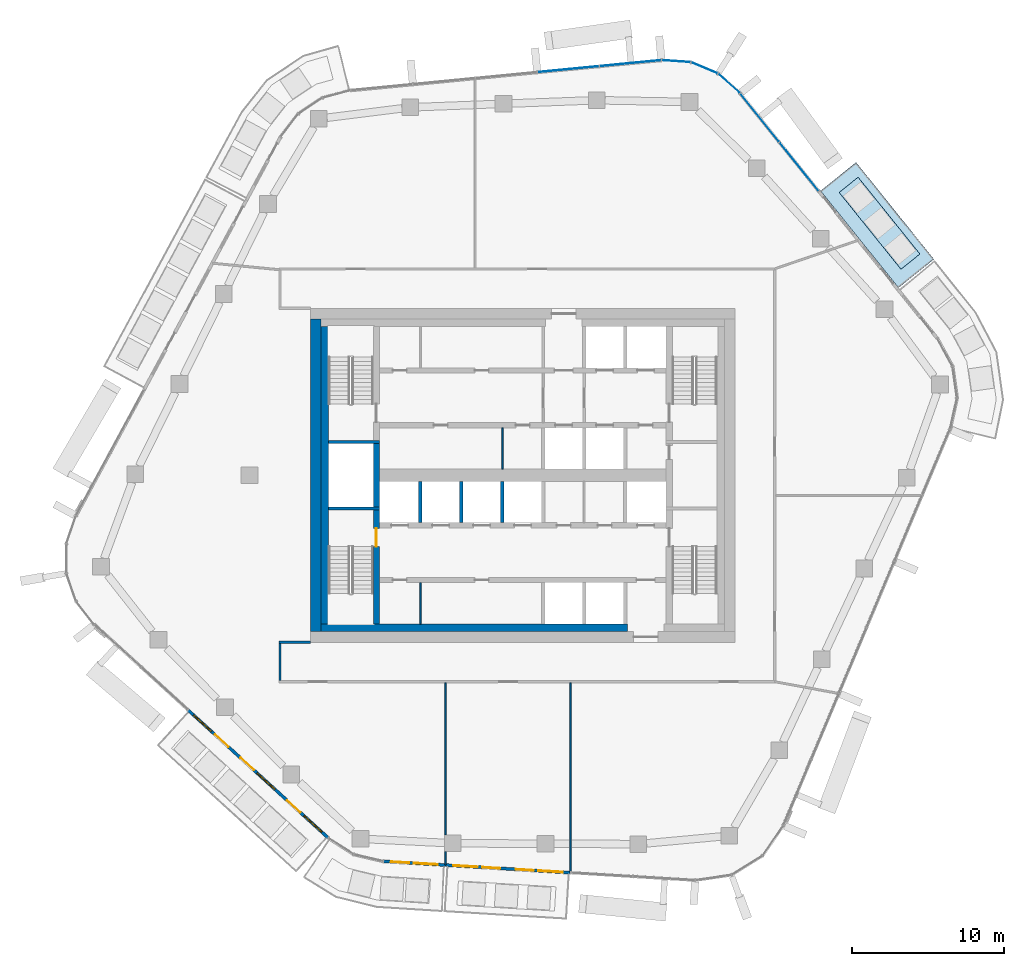
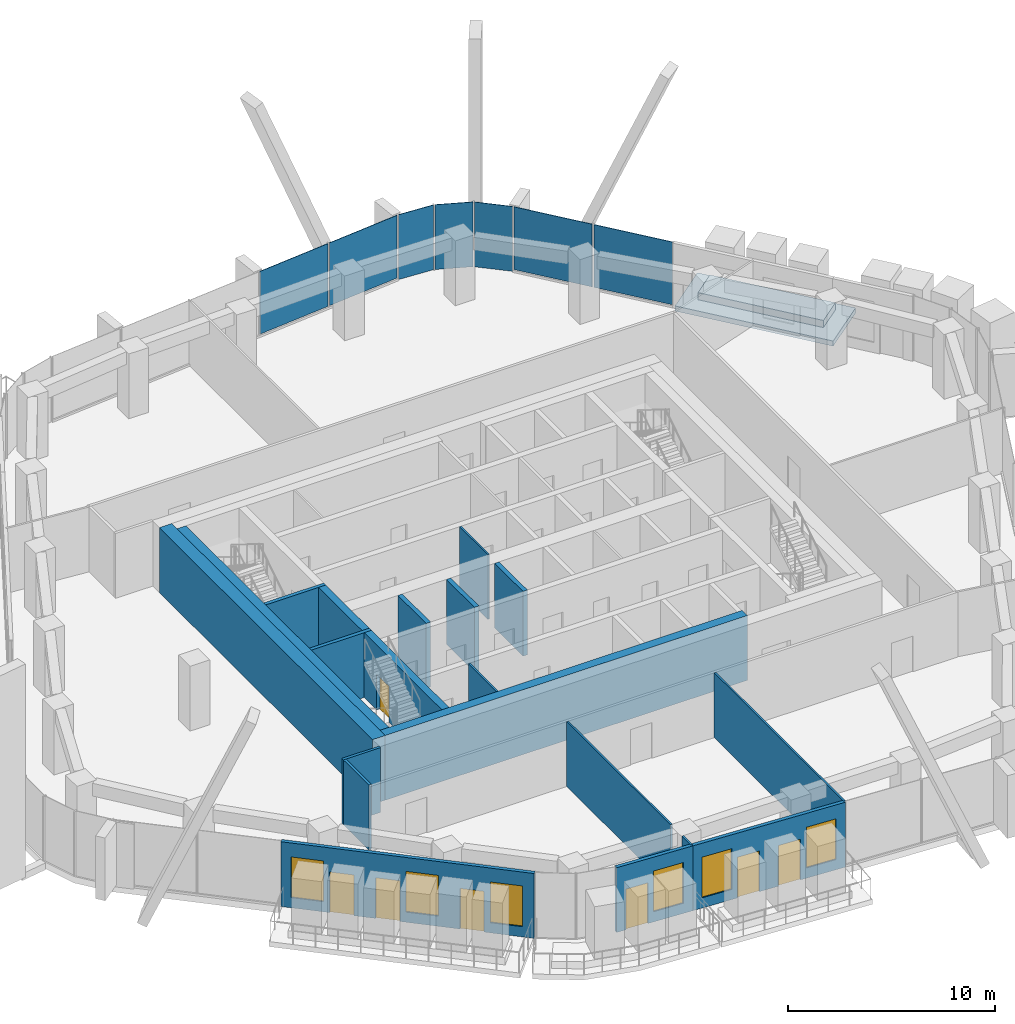
# One storey, part 11 of 20: 20 walls, 7 doors, 7 plates, 6 windows, 2 slabs, 13 openings, 3 elements without a shape of their own.
"""IFC4 building model written with IfcOpenShell, lengths in metres."""

from ifc_helpers import new_model, si_unit, direction, frame, frame_2d, origin, origin_2d, place, context, subcontext, project, spatial, polyline, rectangle, outline, extrude, material, layer, layer_set, type_object, element, fill, aggregate, save


model = new_model("IFC4")

# Units and contexts
model_context = context("Model", 3, precision=1e-05, world=origin(), true_north=direction((0.0, 1.0)))
body_context = subcontext(model_context, "Body", "Model", "MODEL_VIEW")
ifc_project = project(units=[si_unit("LENGTHUNIT", "METRE"), si_unit("AREAUNIT", "SQUARE_METRE"), si_unit("VOLUMEUNIT", "CUBIC_METRE"), si_unit("PLANEANGLEUNIT", "RADIAN"), si_unit("MASSUNIT", "GRAM", prefix="KILO")], contexts=[model_context])

# Site, building, storey
site_placement = place(None, origin())
site = spatial("IfcSite", under=ifc_project, at=site_placement, CompositionType="ELEMENT")
building_placement = place(site_placement, origin())
building = spatial("IfcBuilding", under=site, at=building_placement, Name="Dongbaek Canopy Tower", CompositionType="ELEMENT")
storey_placement = place(building_placement, frame((0.0, 0.0, 253.800048828125)))
storey = spatial("IfcBuildingStorey", under=building, at=storey_placement, Name="L53", CompositionType="ELEMENT", Elevation=253.800048828125)

# Slab
ifc_material_1 = material(Name="Concrete C40/50", Category="concrete")
ifc_layer_1 = layer(ifc_material_1, 0.300048828125)
ifc_layer_set_1 = layer_set([ifc_layer_1], Name="Balcony slab 300")
slab_type_1 = type_object("IfcSlabType", Name="Balcony slab 300", PredefinedType="FLOOR", material=ifc_layer_set_1)
slab_1_placement = place(storey_placement, frame((0.0, 0.0, -0.300048828125)))
element("IfcSlab", 1, at=slab_1_placement, inside=storey, type_object=slab_type_1, Name="Balcony L53 1", PredefinedType="FLOOR", context=body_context, shape_type="SweptSolid", body=[
    extrude(outline(polyline([(24.758544921875, 12.35693359375), (19.622314453125, 18.74072265625), (21.959716796875, 20.621337890625), (27.095947265625, 14.237548828125), (24.758544921875, 12.35693359375)])), origin(), (0.0, 0.0, 1.0), 0.300048828125),
])

# Curtain wall, plates
ifc_material_2 = material(Name="Aluminium 6063-T6 pale anodised", Category="aluminium")
ifc_layer_2 = layer(ifc_material_2, 0.199951171875)
ifc_layer_set_2 = layer_set([ifc_layer_2], Name="CW-1 unitised tower curtain wall")
curtain_wall_type = type_object("IfcCurtainWallType", Name="CW-1 unitised tower curtain wall", PredefinedType="NOTDEFINED", material=ifc_layer_set_2)
curtain_wall_1_placement = place(storey_placement, origin())
curtain_wall_1 = element("IfcCurtainWall", 2, at=curtain_wall_1_placement, inside=storey, type_object=curtain_wall_type, Name="CW-1 curtain wall F0.1", PredefinedType="NOTDEFINED")
ifc_material_3 = material(Name="Clear laminated glass", Category="glass")
ifc_layer_3 = layer(ifc_material_3, 0.028076171875)
ifc_layer_set_3 = layer_set([ifc_layer_3], Name="CW-1 glazed panel 28")
plate_type = type_object("IfcPlateType", Name="CW-1 glazed panel 28", PredefinedType="CURTAIN_PANEL", material=ifc_layer_set_3)
plate_1_placement = place(storey_placement, frame((18.21337890625, 20.33251953125, 0.1201171875), z_axis=(0.0, 0.0, 1.0), x_axis=(-0.626866846096, 0.779126406475, 0.0)))
plate_1 = element("IfcPlate", 3, at=plate_1_placement, type_object=plate_type, Name="CW-1 panel F0.1.1.1", PredefinedType="CURTAIN_PANEL", context=body_context, shape_type="SweptSolid", body=[
    extrude(rectangle(XDim=4.062744140625, YDim=0.028076171875, at=origin_2d()), origin(), (0.0, 0.0, 1.0), 3.699951171875),
])
plate_2_placement = place(storey_placement, frame((15.616455078125, 23.560302734375, 0.1201171875), z_axis=(0.0, 0.0, 1.0), x_axis=(-0.626866846096, 0.779126406475, 0.0)))
plate_2 = element("IfcPlate", 4, at=plate_2_placement, type_object=plate_type, Name="CW-1 panel F0.1.2.1", PredefinedType="CURTAIN_PANEL", context=body_context, shape_type="SweptSolid", body=[
    extrude(rectangle(XDim=4.054443359375, YDim=0.028076171875, at=origin_2d()), origin(), (0.0, 0.0, 1.0), 3.699951171875),
])
aggregate(curtain_wall_1, [plate_1, plate_2])

curtain_wall_2_placement = place(storey_placement, origin())
curtain_wall_2 = element("IfcCurtainWall", 5, at=curtain_wall_2_placement, inside=storey, type_object=curtain_wall_type, Name="CW-1 curtain wall K1.1", PredefinedType="NOTDEFINED")
plate_3_placement = place(storey_placement, frame((13.593017578125, 25.820068359375, 0.0), z_axis=(0.0, 0.0, 1.0), x_axis=(-0.746318212559, 0.665589307007, 0.0)))
plate_3 = element("IfcPlate", 6, at=plate_3_placement, type_object=plate_type, Name="CW-1 panel K1.1.1.1", PredefinedType="CURTAIN_PANEL", context=body_context, shape_type="SweptSolid", body=[
    extrude(rectangle(XDim=1.862060546875, YDim=0.028076171875, at=origin_2d()), origin(), (0.0, 0.0, 1.0), 3.820068359375),
])
plate_4_placement = place(storey_placement, frame((11.973876953125, 26.843505859375, 0.0), z_axis=(0.0, 0.0, 1.0), x_axis=(-0.921718789769, 0.387858830745, 0.0)))
plate_4 = element("IfcPlate", 7, at=plate_4_placement, type_object=plate_type, Name="CW-1 panel K1.1.2.1", PredefinedType="CURTAIN_PANEL", context=body_context, shape_type="SweptSolid", body=[
    extrude(rectangle(XDim=1.853515625, YDim=0.028076171875, at=origin_2d()), origin(), (0.0, 0.0, 1.0), 3.820068359375),
])
plate_5_placement = place(storey_placement, frame((10.1103515625, 27.28564453125, 0.0), z_axis=(0.0, 0.0, 1.0), x_axis=(-0.997666296748, 0.06827854959, 0.0)))
plate_5 = element("IfcPlate", 8, at=plate_5_placement, type_object=plate_type, Name="CW-1 panel K1.1.3.1", PredefinedType="CURTAIN_PANEL", context=body_context, shape_type="SweptSolid", body=[
    extrude(rectangle(XDim=1.862060546875, YDim=0.028076171875, at=origin_2d()), origin(), (0.0, 0.0, 1.0), 3.820068359375),
])
aggregate(curtain_wall_2, [plate_3, plate_4, plate_5])

curtain_wall_3_placement = place(storey_placement, origin())
curtain_wall_3 = element("IfcCurtainWall", 9, at=curtain_wall_3_placement, inside=storey, type_object=curtain_wall_type, Name="CW-1 curtain wall F1.1", PredefinedType="NOTDEFINED")
plate_6_placement = place(storey_placement, frame((7.095458984375, 27.15380859375, 0.1201171875), z_axis=(0.0, 0.0, 1.0), x_axis=(-0.995332430055, -0.096505718384, 0.0)))
plate_6 = element("IfcPlate", 10, at=plate_6_placement, type_object=plate_type, Name="CW-1 panel F1.1.1.1", PredefinedType="CURTAIN_PANEL", context=body_context, shape_type="SweptSolid", body=[
    extrude(rectangle(XDim=4.023193359375, YDim=0.028076171875, at=origin_2d()), origin(), (0.0, 0.0, 1.0), 3.699951171875),
])
plate_7_placement = place(storey_placement, frame((3.003173828125, 26.757080078125, 0.1201171875), z_axis=(0.0, 0.0, 1.0), x_axis=(-0.995332430055, -0.096505718384, 0.0)))
plate_7 = element("IfcPlate", 11, at=plate_7_placement, type_object=plate_type, Name="CW-1 panel F1.1.2.1", PredefinedType="CURTAIN_PANEL", context=body_context, shape_type="SweptSolid", body=[
    extrude(rectangle(XDim=4.031494140625, YDim=0.028076171875, at=origin_2d()), origin(), (0.0, 0.0, 1.0), 3.699951171875),
])
aggregate(curtain_wall_3, [plate_6, plate_7])

# Slab
ifc_material_4 = material(Name="Reinforced concrete C40/50 planter box with soil", Category="concrete")
ifc_layer_4 = layer(ifc_material_4, 0.419921875)
ifc_layer_set_4 = layer_set([ifc_layer_4], Name="Terrace planter box 1600 x 420")
slab_type_2 = type_object("IfcSlabType", Name="Terrace planter box 1600 x 420", PredefinedType="USERDEFINED", material=ifc_layer_set_4)
slab_2_placement = place(storey_placement, origin())
element("IfcSlab", 12, at=slab_2_placement, inside=storey, type_object=slab_type_2, Name="Balcony planter L53 1", ObjectType="PLANTER", PredefinedType="USERDEFINED", context=body_context, shape_type="SweptSolid", body=[
    extrude(outline(polyline([(24.919189453125, 13.5771484375), (20.8486328125, 18.636474609375), (22.09521484375, 19.639404296875), (26.165771484375, 14.580078125), (24.919189453125, 13.5771484375)])), origin(), (0.0, 0.0, 1.0), 0.419921875),
])

# Walls
ifc_material_5 = material(Name="Concrete C70/85", Category="concrete")
ifc_layer_5 = layer(ifc_material_5, 0.699951171875)
ifc_layer_set_5 = layer_set([ifc_layer_5], Name="Core outer wall 700 Concrete C70/85")
wall_type_1 = type_object("IfcWallType", Name="Core outer wall 700 Concrete C70/85", PredefinedType="SHEAR", material=ifc_layer_set_5)
wall_1_placement = place(storey_placement, frame((-13.64990234375, -10.300048828125, 0.0), z_axis=(0.0, 0.0, 1.0), x_axis=(0.0, 1.0, 0.0)))
element("IfcWall", 13, at=wall_1_placement, inside=storey, type_object=wall_type_1, Name="Core wall", PredefinedType="SHEAR", context=body_context, shape_type="SweptSolid", body=[
    extrude(rectangle(XDim=20.60009765625, YDim=0.699951171875, at=frame_2d((10.300048828125, 0.0))), origin(), (0.0, 0.0, 1.0), 3.820068359375),
])
ifc_material_6 = material(Name="Concrete C60/75", Category="concrete")
ifc_layer_6 = layer(ifc_material_6, 0.5)
ifc_layer_set_6 = layer_set([ifc_layer_6], Name="Core wall lining 500 Concrete C60/75")
wall_type_2 = type_object("IfcWallType", Name="Core wall lining 500 Concrete C60/75", PredefinedType="SHEAR", material=ifc_layer_set_6)
wall_2_placement = place(storey_placement, frame((6.89990234375, -10.050048828125, 0.0), z_axis=(0.0, 0.0, 1.0), x_axis=(-1.0, 0.0, 0.0)))
element("IfcWall", 14, at=wall_2_placement, inside=storey, type_object=wall_type_2, Name="Core wall lining", PredefinedType="SHEAR", context=body_context, shape_type="SweptSolid", body=[
    extrude(rectangle(XDim=20.199951171875, YDim=0.5, at=frame_2d((10.10009765625, 0.0))), origin(), (0.0, 0.0, 1.0), 3.820068359375),
])
wall_3_placement = place(storey_placement, frame((-13.050048828125, -9.800048828125, 0.0), z_axis=(0.0, 0.0, 1.0), x_axis=(0.0, 1.0, 0.0)))
element("IfcWall", 15, at=wall_3_placement, inside=storey, type_object=wall_type_2, Name="Core wall lining", PredefinedType="SHEAR", context=body_context, shape_type="SweptSolid", body=[
    extrude(rectangle(XDim=19.60009765625, YDim=0.5, at=frame_2d((9.800048828125, 0.0))), origin(), (0.0, 0.0, 1.0), 3.820068359375),
])
ifc_material_7 = material(Name="Gypsum board partition, steel stud, 2 x 15 mm fire board", Category="steel")
ifc_layer_7 = layer(ifc_material_7, 0.14990234375)
ifc_layer_set_7 = layer_set([ifc_layer_7], Name="Fire-rated partition 150 gypsum board")
wall_type_3 = type_object("IfcWallType", Name="Fire-rated partition 150 gypsum board", PredefinedType="PARTITIONING", material=ifc_layer_set_7)
wall_4_placement = place(storey_placement, frame((-16.074951171875, -10.9970703125, 0.0), z_axis=(0.0, 0.0, 1.0), x_axis=(1.0, 0.0, 0.0)))
element("IfcWall", 16, at=wall_4_placement, inside=storey, type_object=wall_type_3, Name="Corridor partition", PredefinedType="PARTITIONING", context=body_context, shape_type="SweptSolid", body=[
    extrude(rectangle(XDim=2.074951171875, YDim=0.14990234375, at=frame_2d((1.03759765625, 0.0))), origin(), (0.0, 0.0, 1.0), 3.820068359375),
])
wall_5_placement = place(storey_placement, frame((-16.0, -13.52490234375, 0.0), z_axis=(0.0, 0.0, 1.0), x_axis=(0.0, 1.0, 0.0)))
element("IfcWall", 17, at=wall_5_placement, inside=storey, type_object=wall_type_3, Name="Corridor partition", PredefinedType="PARTITIONING", context=body_context, shape_type="SweptSolid", body=[
    extrude(rectangle(XDim=2.452880859375, YDim=0.14990234375, at=frame_2d((1.2265625, 0.0))), origin(), (0.0, 0.0, 1.0), 3.820068359375),
])
ifc_material_8 = material(Name="Concrete C40/50", Category="concrete")
ifc_layer_8 = layer(ifc_material_8, 0.25)
ifc_layer_set_8 = layer_set([ifc_layer_8], Name="Lift shaft wall 250 Concrete C40/50")
wall_type_4 = type_object("IfcWallType", Name="Lift shaft wall 250 Concrete C40/50", PredefinedType="SOLIDWALL", material=ifc_layer_set_8)
for number, where, z_axis, x_axis, name in (
    (18, (-1.35009765625, -3.125, 0.0), (0.0, 0.0, 1.0), (0.0, 1.0, 0.0), "Lift shaft wall"),
    (19, (-4.050048828125, -3.125, 0.0), (0.0, 0.0, 1.0), (0.0, 1.0, 0.0), "Lift shaft wall"),
    (20, (-6.75, -3.125, 0.0), (0.0, 0.0, 1.0), (0.0, 1.0, 0.0), "Lift shaft wall"),
):
    element("IfcWall", number, at=place(storey_placement, frame(where, z_axis=z_axis, x_axis=x_axis)), inside=storey, type_object=wall_type_4, Name=name, PredefinedType="SOLIDWALL", context=body_context, shape_type="SweptSolid", body=[
        extrude(rectangle(XDim=2.72509765625, YDim=0.25, at=frame_2d((1.362548828125, 0.0))), origin(), (0.0, 0.0, 1.0), 3.820068359375),
    ])
ifc_material_9 = material(Name="Gypsum board partition, steel stud, 2 x 12.5 mm board", Category="steel")
ifc_layer_9 = layer(ifc_material_9, 0.10009765625)
ifc_layer_set_9 = layer_set([ifc_layer_9], Name="Partition 100 gypsum board")
wall_type_5 = type_object("IfcWallType", Name="Partition 100 gypsum board", PredefinedType="PARTITIONING", material=ifc_layer_set_9)
wall_6_placement = place(storey_placement, frame((3.14697265625, -26.16064453125, 0.0), z_axis=(0.0, 0.0, 1.0), x_axis=(0.0, 1.0, 0.0)))
element("IfcWall", 21, at=wall_6_placement, inside=storey, type_object=wall_type_5, Name="Partition", PredefinedType="PARTITIONING", context=body_context, shape_type="SweptSolid", body=[
    extrude(rectangle(XDim=12.485595703125, YDim=0.10009765625, at=frame_2d((6.24267578125, 0.0))), origin(), (0.0, 0.0, 1.0), 3.820068359375),
])
wall_7_placement = place(storey_placement, frame((-5.076904296875, -25.66015625, 0.0), z_axis=(0.0, 0.0, 1.0), x_axis=(0.0, 1.0, 0.0)))
element("IfcWall", 22, at=wall_7_placement, inside=storey, type_object=wall_type_5, Name="Partition", PredefinedType="PARTITIONING", context=body_context, shape_type="SweptSolid", body=[
    extrude(rectangle(XDim=0.8642578125, YDim=0.10009765625, at=frame_2d((0.43212890625, 0.0))), origin(), (0.0, 0.0, 1.0), 3.820068359375),
])
wall_8_placement = place(storey_placement, frame((-5.076904296875, -23.696044921875, 0.0), z_axis=(0.0, 0.0, 1.0), x_axis=(0.0, 1.0, 0.0)))
element("IfcWall", 23, at=wall_8_placement, inside=storey, type_object=wall_type_5, Name="Partition", PredefinedType="PARTITIONING", context=body_context, shape_type="SweptSolid", body=[
    extrude(rectangle(XDim=10.02099609375, YDim=0.10009765625, at=frame_2d((5.010498046875, 0.0))), origin(), (0.0, 0.0, 1.0), 3.820068359375),
])
for number, where, z_axis, x_axis, name in (
    (24, (-1.35009765625, 0.39990234375, 0.0), (0.0, 0.0, 1.0), (0.0, 1.0, 0.0), "Core partition"),
    (25, (-6.75, -9.800048828125, 0.0), (0.0, 0.0, 1.0), (0.0, 1.0, 0.0), "Core partition"),
):
    element("IfcWall", number, at=place(storey_placement, frame(where, z_axis=z_axis, x_axis=x_axis)), inside=storey, type_object=wall_type_5, Name=name, PredefinedType="PARTITIONING", context=body_context, shape_type="SweptSolid", body=[
        extrude(rectangle(XDim=2.72509765625, YDim=0.10009765625, at=frame_2d((1.362548828125, 0.0))), origin(), (0.0, 0.0, 1.0), 3.820068359375),
    ])
ifc_material_10 = material(Name="Concrete C60/75", Category="concrete")
ifc_layer_10 = layer(ifc_material_10, 0.199951171875)
ifc_layer_set_10 = layer_set([ifc_layer_10], Name="Riser wall 200 Concrete C60/75")
wall_type_6 = type_object("IfcWallType", Name="Riser wall 200 Concrete C60/75", PredefinedType="SHEAR", material=ifc_layer_set_10)
for number, where, z_axis, x_axis, name in (
    (26, (-9.449951171875, 2.199951171875, 0.0), (0.0, 0.0, 1.0), (-1.0, 0.0, 0.0), "Riser wall"),
    (27, (-9.449951171875, -2.199951171875, 0.0), (0.0, 0.0, 1.0), (-1.0, 0.0, 0.0), "Riser wall"),
):
    element("IfcWall", number, at=place(storey_placement, frame(where, z_axis=z_axis, x_axis=x_axis)), inside=storey, type_object=wall_type_6, Name=name, PredefinedType="SHEAR", context=body_context, shape_type="SweptSolid", body=[
        extrude(rectangle(XDim=3.35009765625, YDim=0.199951171875, at=frame_2d((1.675048828125, 0.0))), origin(), (0.0, 0.0, 1.0), 3.820068359375),
    ])

# Wall, opening, door
ifc_material_11 = material(Name="Concrete C60/75", Category="concrete")
ifc_layer_11 = layer(ifc_material_11, 0.39990234375)
ifc_layer_set_11 = layer_set([ifc_layer_11], Name="Stair wall 400 Concrete C60/75")
wall_type_7 = type_object("IfcWallType", Name="Stair wall 400 Concrete C60/75", PredefinedType="SHEAR", material=ifc_layer_set_11)
wall_9_placement = place(storey_placement, frame((-9.64990234375, -9.800048828125, 0.0), z_axis=(0.0, 0.0, 1.0), x_axis=(0.0, 1.0, 0.0)))
wall_9 = element("IfcWall", 28, at=wall_9_placement, inside=storey, type_object=wall_type_7, Name="Stair wall", PredefinedType="SHEAR", context=body_context, shape_type="SweptSolid", body=[
    extrude(rectangle(XDim=7.5, YDim=0.39990234375, at=frame_2d((3.75, 0.0))), origin(), (0.0, 0.0, 1.0), 3.820068359375),
])
opening_1_placement = place(wall_9_placement, frame((5.10009765625, 0.0, 0.0)))
opening_1 = element("IfcOpeningElement", 29, at=opening_1_placement, cuts=wall_9, Name="Opening L53-D034", PredefinedType="OPENING", context=body_context, shape_type="SweptSolid", body=[
    extrude(rectangle(XDim=1.199951171875, YDim=2.10009765625, at=frame_2d((0.60009765625, 1.050048828125))), frame((0.0, 0.2099609375, 0.0), z_axis=(0.0, -1.0, 0.0), x_axis=(1.0, 0.0, 0.0)), (0.0, 0.0, 1.0), 0.419921875),
])
ifc_material_12 = material(Name="Steel", Category="steel")
door_type_1 = type_object("IfcDoorType", Name="Stair door 1200 x 2100", OperationType="SINGLE_SWING_LEFT", PredefinedType="DOOR", material=ifc_material_12)
door_1_placement = place(opening_1_placement, origin())
door_1 = element("IfcDoor", 30, at=door_1_placement, inside=storey, type_object=door_type_1, Name="Stair D door", OperationType="SINGLE_SWING_LEFT", OverallHeight=2.10009765625, OverallWidth=1.199951171875, PredefinedType="DOOR", context=body_context, shape_type="SweptSolid", body=[
    extrude(rectangle(XDim=1.199951171875, YDim=2.10009765625, at=frame_2d((0.60009765625, 1.050048828125))), frame((0.0, 0.02490234375, 0.0), z_axis=(0.0, -1.0, 0.0), x_axis=(1.0, 0.0, 0.0)), (0.0, 0.0, 1.0), 0.050048828125),
])
fill(opening_1, door_1)

# Wall
wall_10_placement = place(storey_placement, frame((-9.64990234375, -2.10009765625, 0.0), z_axis=(0.0, 0.0, 1.0), x_axis=(0.0, 1.0, 0.0)))
element("IfcWall", 31, at=wall_10_placement, inside=storey, type_object=wall_type_7, Name="Stair wall", PredefinedType="SHEAR", context=body_context, shape_type="SweptSolid", body=[
    extrude(rectangle(XDim=4.2001953125, YDim=0.39990234375, at=frame_2d((2.10009765625, 0.0))), origin(), (0.0, 0.0, 1.0), 3.820068359375),
])

# Wall, openings, doors, windows
ifc_material_13 = material(Name="Aluminium window wall", Category="aluminium")
ifc_layer_12 = layer(ifc_material_13, 0.199951171875)
ifc_layer_set_12 = layer_set([ifc_layer_12], Name="Window wall 200")
wall_type_8 = type_object("IfcWallType", Name="Window wall 200", PredefinedType="SOLIDWALL", material=ifc_layer_set_12)
wall_11_placement = place(storey_placement, frame((-22.058837890625, -15.46142578125, 0.0), z_axis=(0.0, 0.0, 1.0), x_axis=(0.738843559677, -0.673876987531, 0.0)))
wall_11 = element("IfcWall", 32, at=wall_11_placement, inside=storey, type_object=wall_type_8, Name="Window wall L53 3", PredefinedType="SOLIDWALL", context=body_context, shape_type="SweptSolid", body=[
    extrude(rectangle(XDim=12.513916015625, YDim=0.199951171875, at=frame_2d((6.2568359375, 0.0))), origin(), (0.0, 0.0, 1.0), 3.820068359375),
])
opening_2_placement = place(wall_11_placement, frame((0.5, 0.0, 0.60009765625)))
opening_2 = element("IfcOpeningElement", 33, at=opening_2_placement, cuts=wall_11, Name="Opening W1", PredefinedType="OPENING", context=body_context, shape_type="SweptSolid", body=[
    extrude(rectangle(XDim=1.60009765625, YDim=2.39990234375, at=frame_2d((0.800048828125, 1.199951171875))), frame((0.0, 0.10986328125, 0.0), z_axis=(0.0, -1.0, 0.0), x_axis=(1.0, 0.0, 0.0)), (0.0, 0.0, 1.0), 0.219970703125),
])
opening_3_placement = place(wall_11_placement, frame((2.39990234375, 0.0, 0.0)))
opening_3 = element("IfcOpeningElement", 34, at=opening_3_placement, cuts=wall_11, Name="Opening L53-B08", PredefinedType="OPENING", context=body_context, shape_type="SweptSolid", body=[
    extrude(rectangle(XDim=1.199951171875, YDim=2.39990234375, at=frame_2d((0.60009765625, 1.199951171875))), frame((0.0, 0.10986328125, 0.0), z_axis=(0.0, -1.0, 0.0), x_axis=(1.0, 0.0, 0.0)), (0.0, 0.0, 1.0), 0.219970703125),
])
opening_4_placement = place(wall_11_placement, frame((6.17138671875, 0.0, 0.60009765625)))
opening_4 = element("IfcOpeningElement", 35, at=opening_4_placement, cuts=wall_11, Name="Opening W1", PredefinedType="OPENING", context=body_context, shape_type="SweptSolid", body=[
    extrude(rectangle(XDim=1.60009765625, YDim=2.39990234375, at=frame_2d((0.800048828125, 1.199951171875))), frame((0.0, 0.10986328125, 0.0), z_axis=(0.0, -1.0, 0.0), x_axis=(1.0, 0.0, 0.0)), (0.0, 0.0, 1.0), 0.219970703125),
])
opening_5_placement = place(wall_11_placement, frame((4.67138671875, 0.0, 0.0)))
opening_5 = element("IfcOpeningElement", 36, at=opening_5_placement, cuts=wall_11, Name="Opening L53-B09", PredefinedType="OPENING", context=body_context, shape_type="SweptSolid", body=[
    extrude(rectangle(XDim=1.199951171875, YDim=2.39990234375, at=frame_2d((0.60009765625, 1.199951171875))), frame((0.0, 0.10986328125, 0.0), z_axis=(0.0, -1.0, 0.0), x_axis=(1.0, 0.0, 0.0)), (0.0, 0.0, 1.0), 0.219970703125),
])
opening_6_placement = place(wall_11_placement, frame((10.342529296875, 0.0, 0.60009765625)))
opening_6 = element("IfcOpeningElement", 37, at=opening_6_placement, cuts=wall_11, Name="Opening W1", PredefinedType="OPENING", context=body_context, shape_type="SweptSolid", body=[
    extrude(rectangle(XDim=1.60009765625, YDim=2.39990234375, at=frame_2d((0.800048828125, 1.199951171875))), frame((0.0, 0.10986328125, 0.0), z_axis=(0.0, -1.0, 0.0), x_axis=(1.0, 0.0, 0.0)), (0.0, 0.0, 1.0), 0.219970703125),
])
opening_7_placement = place(wall_11_placement, frame((8.842529296875, 0.0, 0.0)))
opening_7 = element("IfcOpeningElement", 38, at=opening_7_placement, cuts=wall_11, Name="Opening L53-B10", PredefinedType="OPENING", context=body_context, shape_type="SweptSolid", body=[
    extrude(rectangle(XDim=1.199951171875, YDim=2.39990234375, at=frame_2d((0.60009765625, 1.199951171875))), frame((0.0, 0.10986328125, 0.0), z_axis=(0.0, -1.0, 0.0), x_axis=(1.0, 0.0, 0.0)), (0.0, 0.0, 1.0), 0.219970703125),
])
ifc_material_14 = material(Name="Clear glazing in aluminium frame", Category="aluminium")
door_type_2 = type_object("IfcDoorType", Name="Balcony door BD1 1200 x 2400", OperationType="SLIDING_TO_LEFT", PredefinedType="DOOR", material=ifc_material_14)
door_2_placement = place(opening_3_placement, origin())
door_2 = element("IfcDoor", 39, at=door_2_placement, inside=storey, type_object=door_type_2, Name="Balcony door L53-B08", OperationType="SLIDING_TO_LEFT", OverallHeight=2.39990234375, OverallWidth=1.199951171875, PredefinedType="DOOR", context=body_context, shape_type="SweptSolid", body=[
    extrude(rectangle(XDim=1.199951171875, YDim=2.39990234375, at=frame_2d((0.60009765625, 1.199951171875))), frame((0.0, 0.02490234375, 0.0), z_axis=(0.0, -1.0, 0.0), x_axis=(1.0, 0.0, 0.0)), (0.0, 0.0, 1.0), 0.050048828125),
])
fill(opening_3, door_2)
door_3_placement = place(opening_5_placement, origin())
door_3 = element("IfcDoor", 40, at=door_3_placement, inside=storey, type_object=door_type_2, Name="Balcony door L53-B09", OperationType="SLIDING_TO_LEFT", OverallHeight=2.39990234375, OverallWidth=1.199951171875, PredefinedType="DOOR", context=body_context, shape_type="SweptSolid", body=[
    extrude(rectangle(XDim=1.199951171875, YDim=2.39990234375, at=frame_2d((0.60009765625, 1.199951171875))), frame((0.0, 0.02490234375, 0.0), z_axis=(0.0, -1.0, 0.0), x_axis=(1.0, 0.0, 0.0)), (0.0, 0.0, 1.0), 0.050048828125),
])
fill(opening_5, door_3)
door_4_placement = place(opening_7_placement, origin())
door_4 = element("IfcDoor", 41, at=door_4_placement, inside=storey, type_object=door_type_2, Name="Balcony door L53-B10", OperationType="SLIDING_TO_LEFT", OverallHeight=2.39990234375, OverallWidth=1.199951171875, PredefinedType="DOOR", context=body_context, shape_type="SweptSolid", body=[
    extrude(rectangle(XDim=1.199951171875, YDim=2.39990234375, at=frame_2d((0.60009765625, 1.199951171875))), frame((0.0, 0.02490234375, 0.0), z_axis=(0.0, -1.0, 0.0), x_axis=(1.0, 0.0, 0.0)), (0.0, 0.0, 1.0), 0.050048828125),
])
fill(opening_7, door_4)
ifc_material_15 = material(Name="Clear glazing in aluminium frame", Category="aluminium")
window_type = type_object("IfcWindowType", Name="Window W1 1600 x 2400", PartitioningType="SINGLE_PANEL", PredefinedType="WINDOW", material=ifc_material_15)
window_1_placement = place(opening_2_placement, origin())
window_1 = element("IfcWindow", 42, at=window_1_placement, inside=storey, type_object=window_type, Name="Window L53 3.1", OverallHeight=2.39990234375, OverallWidth=1.60009765625, PartitioningType="SINGLE_PANEL", PredefinedType="WINDOW", context=body_context, shape_type="SweptSolid", body=[
    extrude(rectangle(XDim=1.60009765625, YDim=2.39990234375, at=frame_2d((0.800048828125, 1.199951171875))), frame((0.0, 0.030029296875, 0.0), z_axis=(0.0, -1.0, 0.0), x_axis=(1.0, 0.0, 0.0)), (0.0, 0.0, 1.0), 0.06005859375),
])
fill(opening_2, window_1)
window_2_placement = place(opening_4_placement, origin())
window_2 = element("IfcWindow", 43, at=window_2_placement, inside=storey, type_object=window_type, Name="Window L53 3.2", OverallHeight=2.39990234375, OverallWidth=1.60009765625, PartitioningType="SINGLE_PANEL", PredefinedType="WINDOW", context=body_context, shape_type="SweptSolid", body=[
    extrude(rectangle(XDim=1.60009765625, YDim=2.39990234375, at=frame_2d((0.800048828125, 1.199951171875))), frame((0.0, 0.030029296875, 0.0), z_axis=(0.0, -1.0, 0.0), x_axis=(1.0, 0.0, 0.0)), (0.0, 0.0, 1.0), 0.06005859375),
])
fill(opening_4, window_2)
window_3_placement = place(opening_6_placement, origin())
window_3 = element("IfcWindow", 44, at=window_3_placement, inside=storey, type_object=window_type, Name="Window L53 3.3", OverallHeight=2.39990234375, OverallWidth=1.60009765625, PartitioningType="SINGLE_PANEL", PredefinedType="WINDOW", context=body_context, shape_type="SweptSolid", body=[
    extrude(rectangle(XDim=1.60009765625, YDim=2.39990234375, at=frame_2d((0.800048828125, 1.199951171875))), frame((0.0, 0.030029296875, 0.0), z_axis=(0.0, -1.0, 0.0), x_axis=(1.0, 0.0, 0.0)), (0.0, 0.0, 1.0), 0.06005859375),
])
fill(opening_6, window_3)

wall_12_placement = place(storey_placement, frame((-5.0771484375, -25.68017578125, 0.0), z_axis=(0.0, 0.0, 1.0), x_axis=(0.998153501879, -0.060741968084, 0.0)))
wall_12 = element("IfcWall", 45, at=wall_12_placement, inside=storey, type_object=wall_type_8, Name="Window wall L53 4", PredefinedType="SOLIDWALL", context=body_context, shape_type="SweptSolid", body=[
    extrude(rectangle(XDim=8.239501953125, YDim=0.199951171875, at=frame_2d((4.11962890625, 0.0))), origin(), (0.0, 0.0, 1.0), 3.820068359375),
])
opening_8_placement = place(wall_12_placement, frame((0.5, 0.0, 0.60009765625)))
opening_8 = element("IfcOpeningElement", 46, at=opening_8_placement, cuts=wall_12, Name="Opening W1", PredefinedType="OPENING", context=body_context, shape_type="SweptSolid", body=[
    extrude(rectangle(XDim=1.60009765625, YDim=2.39990234375, at=frame_2d((0.800048828125, 1.199951171875))), frame((0.0, 0.10986328125, 0.0), z_axis=(0.0, -1.0, 0.0), x_axis=(1.0, 0.0, 0.0)), (0.0, 0.0, 1.0), 0.219970703125),
])
opening_9_placement = place(wall_12_placement, frame((2.39990234375, 0.0, 0.0)))
opening_9 = element("IfcOpeningElement", 47, at=opening_9_placement, cuts=wall_12, Name="Opening L53-B11", PredefinedType="OPENING", context=body_context, shape_type="SweptSolid", body=[
    extrude(rectangle(XDim=1.199951171875, YDim=2.39990234375, at=frame_2d((0.60009765625, 1.199951171875))), frame((0.0, 0.10986328125, 0.0), z_axis=(0.0, -1.0, 0.0), x_axis=(1.0, 0.0, 0.0)), (0.0, 0.0, 1.0), 0.219970703125),
])
opening_10_placement = place(wall_12_placement, frame((6.11962890625, 0.0, 0.60009765625)))
opening_10 = element("IfcOpeningElement", 48, at=opening_10_placement, cuts=wall_12, Name="Opening W1", PredefinedType="OPENING", context=body_context, shape_type="SweptSolid", body=[
    extrude(rectangle(XDim=1.60009765625, YDim=2.39990234375, at=frame_2d((0.800048828125, 1.199951171875))), frame((0.0, 0.10986328125, 0.0), z_axis=(0.0, -1.0, 0.0), x_axis=(1.0, 0.0, 0.0)), (0.0, 0.0, 1.0), 0.219970703125),
])
opening_11_placement = place(wall_12_placement, frame((4.61962890625, 0.0, 0.0)))
opening_11 = element("IfcOpeningElement", 49, at=opening_11_placement, cuts=wall_12, Name="Opening L53-B12", PredefinedType="OPENING", context=body_context, shape_type="SweptSolid", body=[
    extrude(rectangle(XDim=1.199951171875, YDim=2.39990234375, at=frame_2d((0.60009765625, 1.199951171875))), frame((0.0, 0.10986328125, 0.0), z_axis=(0.0, -1.0, 0.0), x_axis=(1.0, 0.0, 0.0)), (0.0, 0.0, 1.0), 0.219970703125),
])
door_5_placement = place(opening_9_placement, origin())
door_5 = element("IfcDoor", 50, at=door_5_placement, inside=storey, type_object=door_type_2, Name="Balcony door L53-B11", OperationType="SLIDING_TO_LEFT", OverallHeight=2.39990234375, OverallWidth=1.199951171875, PredefinedType="DOOR", context=body_context, shape_type="SweptSolid", body=[
    extrude(rectangle(XDim=1.199951171875, YDim=2.39990234375, at=frame_2d((0.60009765625, 1.199951171875))), frame((0.0, 0.02490234375, 0.0), z_axis=(0.0, -1.0, 0.0), x_axis=(1.0, 0.0, 0.0)), (0.0, 0.0, 1.0), 0.050048828125),
])
fill(opening_9, door_5)
door_6_placement = place(opening_11_placement, origin())
door_6 = element("IfcDoor", 51, at=door_6_placement, inside=storey, type_object=door_type_2, Name="Balcony door L53-B12", OperationType="SLIDING_TO_LEFT", OverallHeight=2.39990234375, OverallWidth=1.199951171875, PredefinedType="DOOR", context=body_context, shape_type="SweptSolid", body=[
    extrude(rectangle(XDim=1.199951171875, YDim=2.39990234375, at=frame_2d((0.60009765625, 1.199951171875))), frame((0.0, 0.02490234375, 0.0), z_axis=(0.0, -1.0, 0.0), x_axis=(1.0, 0.0, 0.0)), (0.0, 0.0, 1.0), 0.050048828125),
])
fill(opening_11, door_6)
window_4_placement = place(opening_8_placement, origin())
window_4 = element("IfcWindow", 52, at=window_4_placement, inside=storey, type_object=window_type, Name="Window L53 4.1", OverallHeight=2.39990234375, OverallWidth=1.60009765625, PartitioningType="SINGLE_PANEL", PredefinedType="WINDOW", context=body_context, shape_type="SweptSolid", body=[
    extrude(rectangle(XDim=1.60009765625, YDim=2.39990234375, at=frame_2d((0.800048828125, 1.199951171875))), frame((0.0, 0.030029296875, 0.0), z_axis=(0.0, -1.0, 0.0), x_axis=(1.0, 0.0, 0.0)), (0.0, 0.0, 1.0), 0.06005859375),
])
fill(opening_8, window_4)
window_5_placement = place(opening_10_placement, origin())
window_5 = element("IfcWindow", 53, at=window_5_placement, inside=storey, type_object=window_type, Name="Window L53 4.2", OverallHeight=2.39990234375, OverallWidth=1.60009765625, PartitioningType="SINGLE_PANEL", PredefinedType="WINDOW", context=body_context, shape_type="SweptSolid", body=[
    extrude(rectangle(XDim=1.60009765625, YDim=2.39990234375, at=frame_2d((0.800048828125, 1.199951171875))), frame((0.0, 0.030029296875, 0.0), z_axis=(0.0, -1.0, 0.0), x_axis=(1.0, 0.0, 0.0)), (0.0, 0.0, 1.0), 0.06005859375),
])
fill(opening_10, window_5)

# Wall, openings, door, window
wall_13_placement = place(storey_placement, frame((-9.1806640625, -25.430419921875, 0.0), z_axis=(0.0, 0.0, 1.0), x_axis=(0.998152924564, -0.060751454178, 0.0)))
wall_13 = element("IfcWall", 54, at=wall_13_placement, inside=storey, type_object=wall_type_8, Name="Window wall L53 7", PredefinedType="SOLIDWALL", context=body_context, shape_type="SweptSolid", body=[
    extrude(rectangle(XDim=4.111083984375, YDim=0.199951171875, at=frame_2d((2.0556640625, 0.0))), origin(), (0.0, 0.0, 1.0), 3.820068359375),
])
opening_12_placement = place(wall_13_placement, frame((2.0, 0.0, 0.60009765625)))
opening_12 = element("IfcOpeningElement", 55, at=opening_12_placement, cuts=wall_13, Name="Opening W1", PredefinedType="OPENING", context=body_context, shape_type="SweptSolid", body=[
    extrude(rectangle(XDim=1.60009765625, YDim=2.39990234375, at=frame_2d((0.800048828125, 1.199951171875))), frame((0.0, 0.10986328125, 0.0), z_axis=(0.0, -1.0, 0.0), x_axis=(1.0, 0.0, 0.0)), (0.0, 0.0, 1.0), 0.219970703125),
])
opening_13_placement = place(wall_13_placement, frame((0.5, 0.0, 0.0)))
opening_13 = element("IfcOpeningElement", 56, at=opening_13_placement, cuts=wall_13, Name="Opening L53-B13", PredefinedType="OPENING", context=body_context, shape_type="SweptSolid", body=[
    extrude(rectangle(XDim=1.199951171875, YDim=2.39990234375, at=frame_2d((0.60009765625, 1.199951171875))), frame((0.0, 0.10986328125, 0.0), z_axis=(0.0, -1.0, 0.0), x_axis=(1.0, 0.0, 0.0)), (0.0, 0.0, 1.0), 0.219970703125),
])
door_7_placement = place(opening_13_placement, origin())
door_7 = element("IfcDoor", 57, at=door_7_placement, inside=storey, type_object=door_type_2, Name="Balcony door L53-B13", OperationType="SLIDING_TO_LEFT", OverallHeight=2.39990234375, OverallWidth=1.199951171875, PredefinedType="DOOR", context=body_context, shape_type="SweptSolid", body=[
    extrude(rectangle(XDim=1.199951171875, YDim=2.39990234375, at=frame_2d((0.60009765625, 1.199951171875))), frame((0.0, 0.02490234375, 0.0), z_axis=(0.0, -1.0, 0.0), x_axis=(1.0, 0.0, 0.0)), (0.0, 0.0, 1.0), 0.050048828125),
])
fill(opening_13, door_7)
window_6_placement = place(opening_12_placement, origin())
window_6 = element("IfcWindow", 58, at=window_6_placement, inside=storey, type_object=window_type, Name="Window L53 7.1", OverallHeight=2.39990234375, OverallWidth=1.60009765625, PartitioningType="SINGLE_PANEL", PredefinedType="WINDOW", context=body_context, shape_type="SweptSolid", body=[
    extrude(rectangle(XDim=1.60009765625, YDim=2.39990234375, at=frame_2d((0.800048828125, 1.199951171875))), frame((0.0, 0.030029296875, 0.0), z_axis=(0.0, -1.0, 0.0), x_axis=(1.0, 0.0, 0.0)), (0.0, 0.0, 1.0), 0.06005859375),
])
fill(opening_12, window_6)

save(model, "model.ifc")
